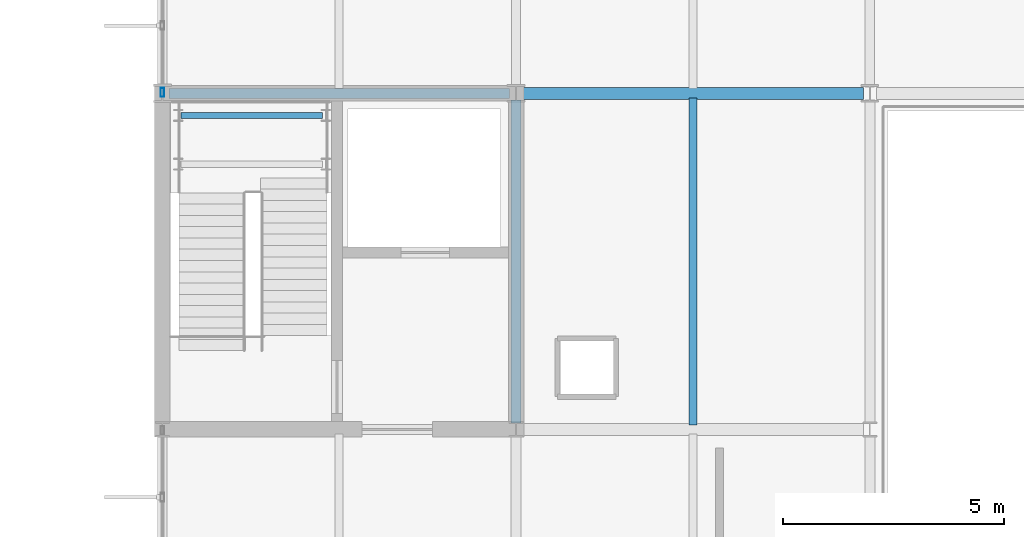
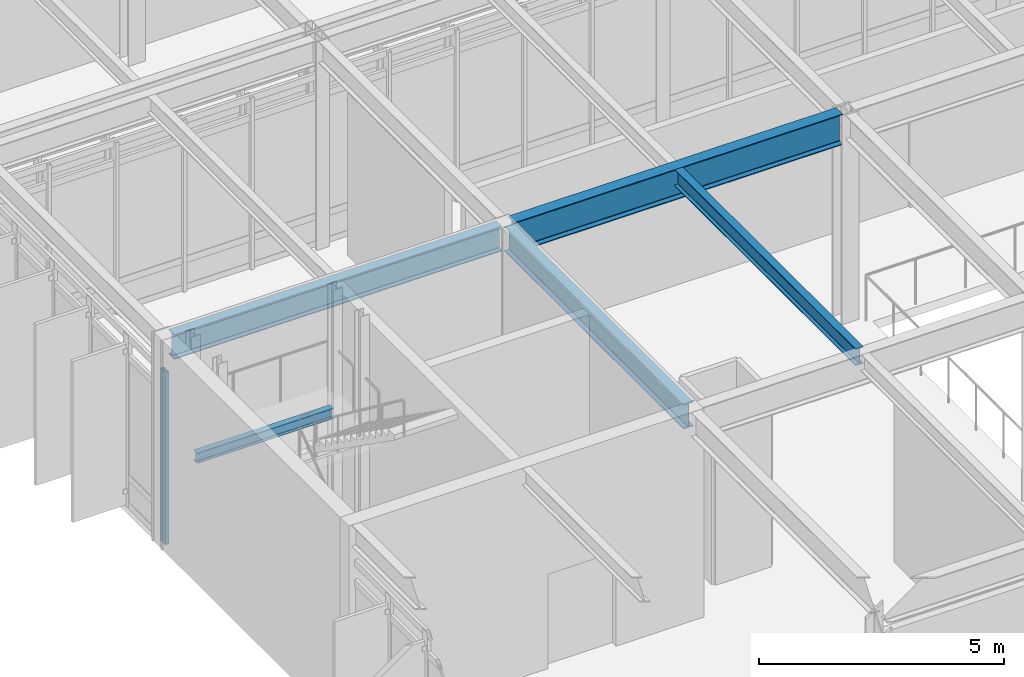
# One storey, part 41 of 94: 5 beams, 1 member, 1 element without a shape of its own.
"""IFC4 building model written with IfcOpenShell, lengths in metres."""

from ifc_helpers import new_model, si_unit, direction, frame, origin, origin_2d, place, context, subcontext, project, spatial, hollow_rectangle, i_section, extrude, material, material_profile, profile_set, type_object, element, aggregate, save


model = new_model("IFC4")

# Units and contexts
model_context = context("Model", 3, precision=1e-05, world=origin(), true_north=direction((0.0, 1.0)))
body_context = subcontext(model_context, "Body", "Model", "MODEL_VIEW")
ifc_project = project(units=[si_unit("LENGTHUNIT", "METRE"), si_unit("AREAUNIT", "SQUARE_METRE"), si_unit("VOLUMEUNIT", "CUBIC_METRE"), si_unit("PLANEANGLEUNIT", "RADIAN"), si_unit("MASSUNIT", "GRAM", prefix="KILO")], contexts=[model_context])

# Site, building, storey
site_placement = place(None, origin())
site = spatial("IfcSite", under=ifc_project, at=site_placement, CompositionType="ELEMENT")
building_placement = place(site_placement, origin())
building = spatial("IfcBuilding", under=site, at=building_placement, Name="Zulena Civic Courthouse", CompositionType="ELEMENT")
storey_placement = place(building_placement, frame((0.0, 0.0, 5.39990234375)))
storey = spatial("IfcBuildingStorey", under=building, at=storey_placement, Name="L01", CompositionType="ELEMENT", Elevation=5.39990234375)

# Curtain wall, member
ifc_material_1 = material(Name="Double-silver low-E laminated solar-control glass", Category="glass")
curtain_wall_type = type_object("IfcCurtainWallType", Name="CW_7552x4280", PredefinedType="USERDEFINED", material=ifc_material_1)
curtain_wall_placement = place(storey_placement, origin())
curtain_wall = element("IfcCurtainWall", 1, at=curtain_wall_placement, inside=storey, type_object=curtain_wall_type, Name="cw:V4:L01:0:3", ObjectType="UNITISED CURTAIN WALL", PredefinedType="USERDEFINED")
ifc_material_2 = material(Name="Bronze anodised thermally broken aluminium AA6063-T6", Category="aluminium")
ifc_material_profile_1 = material_profile(ifc_material_2, hollow_rectangle(XDim=0.080078125, YDim=0.199951171875, WallThickness=0.0048828125, at=origin_2d()), Name="CWM200X80X5")
ifc_profile_set_1 = profile_set([ifc_material_profile_1], Name="Bronze anodised thermally broken aluminium AA6063-T6")
member_type = type_object("IfcMemberType", Name="CWMullion_200x80", PredefinedType="MULLION", material=ifc_profile_set_1)
member_placement = place(storey_placement, frame((68.0, 38.02392578125, 0.0), z_axis=(0.0, 0.0, 1.0), x_axis=(1.0, 0.0, 0.0)))
member = element("IfcMember", 2, at=member_placement, type_object=member_type, Name="cw:V4:L01:0:3:mull:0", PredefinedType="MULLION", context=body_context, shape_type="SweptSolid", body=[
    extrude(hollow_rectangle(XDim=0.080078125, YDim=0.199951171875, WallThickness=0.0048828125, at=origin_2d()), origin(), (0.0, 0.0, 1.0), 4.280029296875),
])
aggregate(curtain_wall, [member])

# Beams
ifc_material_3 = material(Name="Steel ASTM A992 Grade 50", Category="steel")
ifc_material_profile_2 = material_profile(ifc_material_3, i_section(OverallWidth=0.22802734375, OverallDepth=0.60693359375, WebThickness=0.01123046875, FlangeThickness=0.017333984375, FilletRadius=0.0126953125, at=origin_2d()), Name="W24X76")
ifc_profile_set_2 = profile_set([ifc_material_profile_2], Name="Steel ASTM A992 Grade 50")
beam_type_1 = type_object("IfcBeamType", Name="Girder_W24X76", PredefinedType="BEAM", material=ifc_profile_set_2)
beam_1_placement = place(storey_placement, frame((76.0, 30.544921875, 4.881591796875), z_axis=(0.0, 1.0, 0.0), x_axis=(-1.0, 0.0, 0.0)))
element("IfcBeam", 3, at=beam_1_placement, inside=storey, type_object=beam_type_1, Name="beam:Y:V4:L01:76.0:30.4_38.0", PredefinedType="BEAM", context=body_context, shape_type="SweptSolid", body=[
    extrude(i_section(OverallWidth=0.22802734375, OverallDepth=0.60693359375, WebThickness=0.01123046875, FlangeThickness=0.017333984375, FilletRadius=0.0126953125, at=origin_2d()), origin(), (0.0, 0.0, 1.0), 7.31005859375),
])
ifc_material_profile_3 = material_profile(ifc_material_3, i_section(OverallWidth=0.26708984375, OverallDepth=0.761962890625, WebThickness=0.014404296875, FlangeThickness=0.021484375, FilletRadius=0.0166015625, at=origin_2d()), Name="W30X116")
ifc_profile_set_3 = profile_set([ifc_material_profile_3], Name="Steel ASTM A992 Grade 50")
beam_type_2 = type_object("IfcBeamType", Name="Girder_W30X116", PredefinedType="BEAM", material=ifc_profile_set_3)
beam_2_placement = place(storey_placement, frame((76.14501953125, 38.0, 4.80419921875), z_axis=(1.0, 0.0, 0.0), x_axis=(0.0, 1.0, 0.0)))
element("IfcBeam", 4, at=beam_2_placement, inside=storey, type_object=beam_type_2, Name="beam:X:V4:L01:38.0:76.0_84.0", PredefinedType="BEAM", context=body_context, shape_type="SweptSolid", body=[
    extrude(i_section(OverallWidth=0.26708984375, OverallDepth=0.761962890625, WebThickness=0.014404296875, FlangeThickness=0.021484375, FilletRadius=0.0166015625, at=origin_2d()), origin(), (0.0, 0.0, 1.0), 7.7099609375),
])
ifc_material_profile_4 = material_profile(ifc_material_3, i_section(OverallWidth=0.14599609375, OverallDepth=0.258056640625, WebThickness=0.006103515625, FlangeThickness=0.009033203125, FilletRadius=0.007568359375, at=origin_2d()), Name="W10X22")
ifc_profile_set_4 = profile_set([ifc_material_profile_4], Name="Steel ASTM A992 Grade 50")
beam_type_3 = type_object("IfcBeamType", Name="Joist_W10X22", PredefinedType="JOIST", material=ifc_profile_set_4)
beam_3_placement = place(storey_placement, frame((68.419921875, 37.5, 2.291015625), z_axis=(1.0, 0.0, 0.0), x_axis=(0.0, 1.0, 0.0)))
element("IfcBeam", 5, at=beam_3_placement, inside=storey, type_object=beam_type_3, Name="beam:lnd:K4A:L01:1", PredefinedType="JOIST", context=body_context, shape_type="SweptSolid", body=[
    extrude(i_section(OverallWidth=0.14599609375, OverallDepth=0.258056640625, WebThickness=0.006103515625, FlangeThickness=0.009033203125, FilletRadius=0.007568359375, at=origin_2d()), origin(), (0.0, 0.0, 1.0), 3.2001953125),
])
ifc_material_profile_5 = material_profile(ifc_material_3, i_section(OverallWidth=0.180908203125, OverallDepth=0.4169921875, WebThickness=0.010986328125, FlangeThickness=0.018310546875, FilletRadius=0.01025390625, at=origin_2d()), Name="W16X57")
ifc_profile_set_5 = profile_set([ifc_material_profile_5], Name="Steel ASTM A992 Grade 50")
beam_type_4 = type_object("IfcBeamType", Name="Joist_W16X57", PredefinedType="JOIST", material=ifc_profile_set_5)
beam_4_placement = place(storey_placement, frame((80.0, 30.5048828125, 4.9765625), z_axis=(0.0, 1.0, 0.0), x_axis=(-1.0, 0.0, 0.0)))
element("IfcBeam", 6, at=beam_4_placement, inside=storey, type_object=beam_type_4, Name="joist:V4:L01:80.00:30.4_38.0", PredefinedType="JOIST", context=body_context, shape_type="SweptSolid", body=[
    extrude(i_section(OverallWidth=0.180908203125, OverallDepth=0.4169921875, WebThickness=0.010986328125, FlangeThickness=0.018310546875, FilletRadius=0.01025390625, at=origin_2d()), origin(), (0.0, 0.0, 1.0), 7.39013671875),
])
ifc_material_profile_6 = material_profile(ifc_material_3, i_section(OverallWidth=0.22998046875, OverallDepth=0.616943359375, WebThickness=0.01318359375, FlangeThickness=0.022216796875, FilletRadius=0.0126953125, at=origin_2d()), Name="W24X94")
ifc_profile_set_6 = profile_set([ifc_material_profile_6], Name="Steel ASTM A992 Grade 50")
beam_type_5 = type_object("IfcBeamType", Name="Spandrel_W24X94", PredefinedType="SPANDREL", material=ifc_profile_set_6)
beam_5_placement = place(storey_placement, frame((68.14501953125, 38.0, 4.876708984375), z_axis=(1.0, 0.0, 0.0), x_axis=(0.0, 1.0, 0.0)))
element("IfcBeam", 7, at=beam_5_placement, inside=storey, type_object=beam_type_5, Name="beam:X:V4:L01:38.0:68.0_76.0", PredefinedType="SPANDREL", context=body_context, shape_type="SweptSolid", body=[
    extrude(i_section(OverallWidth=0.22998046875, OverallDepth=0.616943359375, WebThickness=0.01318359375, FlangeThickness=0.022216796875, FilletRadius=0.0126953125, at=origin_2d()), origin(), (0.0, 0.0, 1.0), 7.7099609375),
])

save(model, "model.ifc")
